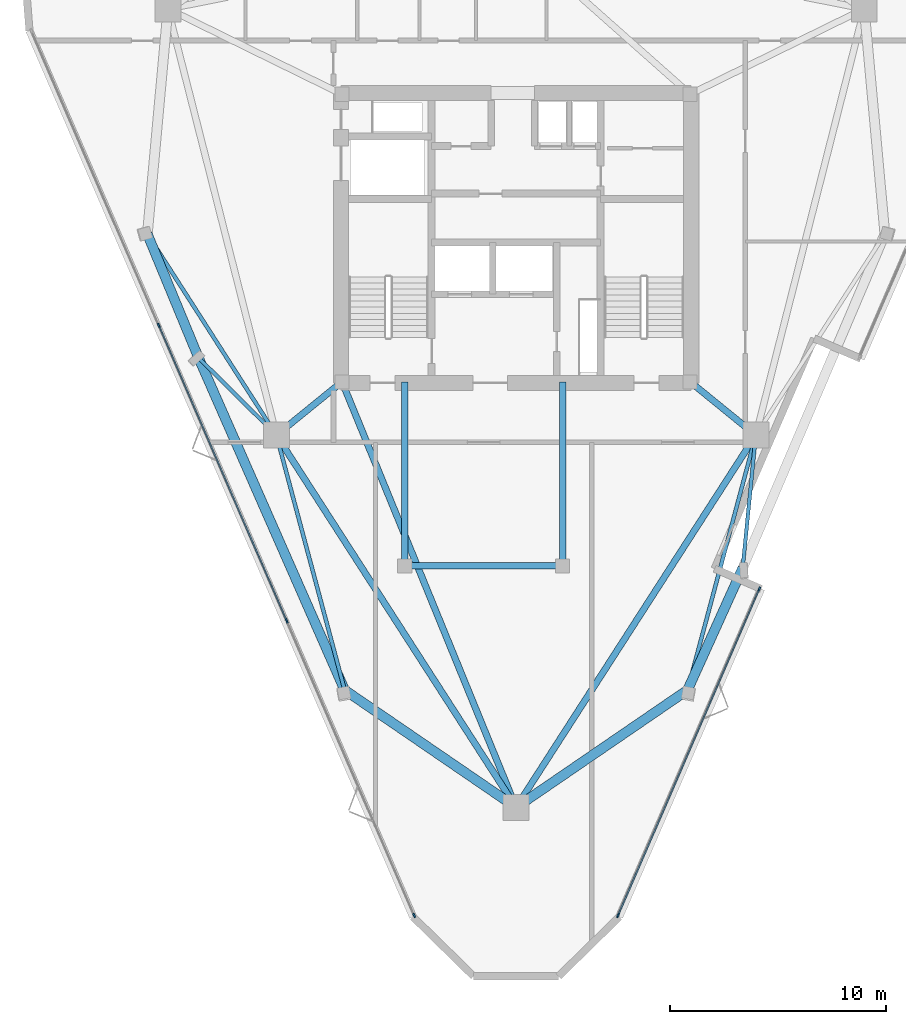
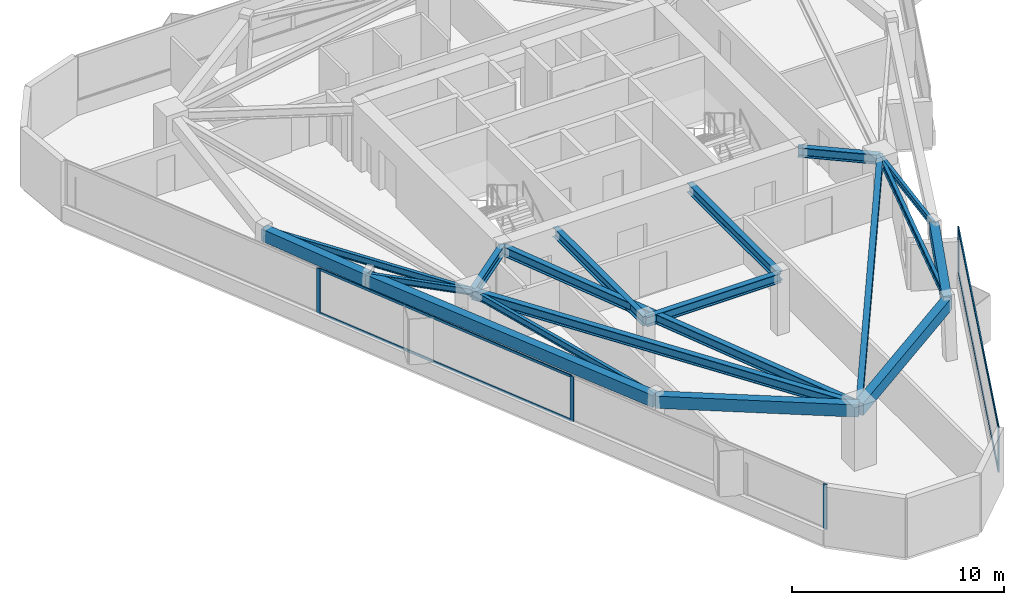
# One storey, part 2 of 10: 18 beams, 9 members, 2 elements without a shape of their own.
"""IFC4 building model written with IfcOpenShell, lengths in metres."""

from ifc_helpers import new_model, si_unit, direction, frame, origin, origin_2d, place, context, subcontext, project, spatial, rectangle, i_section, extrude, material, layer, layer_set, material_profile, profile_set, type_object, element, aggregate, save


model = new_model("IFC4")

# Units and contexts
model_context = context("Model", 3, precision=1e-05, world=origin(), true_north=direction((0.0, 1.0)))
body_context = subcontext(model_context, "Body", "Model", "MODEL_VIEW")
ifc_project = project(units=[si_unit("LENGTHUNIT", "METRE"), si_unit("AREAUNIT", "SQUARE_METRE"), si_unit("VOLUMEUNIT", "CUBIC_METRE"), si_unit("PLANEANGLEUNIT", "RADIAN"), si_unit("MASSUNIT", "GRAM", prefix="KILO")], contexts=[model_context])

# Site, building, storey
site_placement = place(None, origin())
site = spatial("IfcSite", under=ifc_project, at=site_placement, CompositionType="ELEMENT")
building_placement = place(site_placement, origin())
building = spatial("IfcBuilding", under=site, at=building_placement, Name="Talyreon Biosciences Tower", CompositionType="ELEMENT")
storey_placement = place(building_placement, frame((0.0, 0.0, 260.800048828125)))
storey = spatial("IfcBuildingStorey", under=building, at=storey_placement, Name="L69", CompositionType="ELEMENT", Elevation=260.800048828125)

# Curtain wall, members
ifc_material_1 = material(Name="Thermally broken aluminium and low-E glazing", Category="aluminium")
ifc_layer = layer(ifc_material_1, 0.205078125)
ifc_layer_set = layer_set([ifc_layer], Name="Thermally broken aluminium and low-E glazing")
curtain_wall_type = type_object("IfcCurtainWallType", Name="CurtainWall_SkyGardenLoggia", PredefinedType="NOTDEFINED", material=ifc_layer_set)
curtain_wall_1_placement = place(storey_placement, origin())
curtain_wall_1 = element("IfcCurtainWall", 1, at=curtain_wall_1_placement, inside=storey, type_object=curtain_wall_type, Name="L69 Unitised Curtain Wall FCW-L69-11", PredefinedType="NOTDEFINED")
ifc_material_2 = material(Name="Anodised thermally broken aluminium", Category="aluminium")
ifc_material_profile_1 = material_profile(ifc_material_2, rectangle(XDim=0.074951171875, YDim=0.2099609375, at=origin_2d()), Name="ALUM MULLION 75x210")
ifc_profile_set_1 = profile_set([ifc_material_profile_1], Name="Anodised thermally broken aluminium")
member_type_1 = type_object("IfcMemberType", Name="CWMullion_75x210", PredefinedType="MULLION", material=ifc_profile_set_1)
member_1_placement = place(storey_placement, frame((77.249267578125, 51.768798828125, 0.81005859375), z_axis=(0.0, 0.0, 1.0), x_axis=(0.917723005624, -0.397220952302, 0.0)))
member_1 = element("IfcMember", 2, at=member_1_placement, type_object=member_type_1, Name="CW7 mullion 1", PredefinedType="MULLION", context=body_context, shape_type="SweptSolid", body=[
    extrude(rectangle(XDim=0.074951171875, YDim=0.2099609375, at=origin_2d()), origin(), (0.0, 0.0, 1.0), 2.58984375),
])
member_2_placement = place(storey_placement, frame((70.713623046875, 36.66943359375, 0.81005859375), z_axis=(0.0, 0.0, 1.0), x_axis=(0.917723005624, -0.397220952302, 0.0)))
member_2 = element("IfcMember", 3, at=member_2_placement, type_object=member_type_1, Name="CW7 mullion 2", PredefinedType="MULLION", context=body_context, shape_type="SweptSolid", body=[
    extrude(rectangle(XDim=0.074951171875, YDim=0.2099609375, at=origin_2d()), origin(), (0.0, 0.0, 1.0), 2.58984375),
])

curtain_wall_2_placement = place(storey_placement, origin())
curtain_wall_2 = element("IfcCurtainWall", 4, at=curtain_wall_2_placement, inside=storey, type_object=curtain_wall_type, Name="L69 Unitised Curtain Wall FCW-L69-15", PredefinedType="NOTDEFINED")
member_3_placement = place(storey_placement, frame((61.286376953125, 36.66943359375, 0.81005859375), z_axis=(0.0, 0.0, 1.0), x_axis=(-0.917723103703, -0.397220725706, 0.0)))
member_3 = element("IfcMember", 5, at=member_3_placement, type_object=member_type_1, Name="CW7 mullion 1", PredefinedType="MULLION", context=body_context, shape_type="SweptSolid", body=[
    extrude(rectangle(XDim=0.074951171875, YDim=0.2099609375, at=origin_2d()), origin(), (0.0, 0.0, 1.0), 2.58984375),
])
member_4_placement = place(storey_placement, frame((55.388427734375, 50.2958984375, 0.81005859375), z_axis=(0.0, 0.0, 1.0), x_axis=(-0.917723103703, -0.397220725706, 0.0)))
member_4 = element("IfcMember", 6, at=member_4_placement, type_object=member_type_1, Name="CW7 mullion 2", PredefinedType="MULLION", context=body_context, shape_type="SweptSolid", body=[
    extrude(rectangle(XDim=0.074951171875, YDim=0.2099609375, at=origin_2d()), origin(), (0.0, 0.0, 1.0), 2.58984375),
])
member_5_placement = place(storey_placement, frame((49.4755859375, 63.95654296875, 0.81005859375), z_axis=(0.0, 0.0, 1.0), x_axis=(-0.917723103703, -0.397220725706, 0.0)))
member_5 = element("IfcMember", 7, at=member_5_placement, type_object=member_type_1, Name="CW7 mullion 3", PredefinedType="MULLION", context=body_context, shape_type="SweptSolid", body=[
    extrude(rectangle(XDim=0.074951171875, YDim=0.2099609375, at=origin_2d()), origin(), (0.0, 0.0, 1.0), 2.58984375),
])

# Member
ifc_material_profile_2 = material_profile(ifc_material_2, rectangle(XDim=0.06494140625, YDim=0.139892578125, at=origin_2d()), Name="ALUM TRANSOM 65x140")
ifc_profile_set_2 = profile_set([ifc_material_profile_2], Name="Anodised thermally broken aluminium")
member_type_2 = type_object("IfcMemberType", Name="CWTransom_65x140", PredefinedType="USERDEFINED", material=ifc_profile_set_2)
member_6_placement = place(storey_placement, frame((77.234375, 51.734375, 0.842529296875), z_axis=(-0.397228814561, -0.917719602538, 0.0), x_axis=(0.917719602538, -0.397228814561, 0.0)))
member_6 = element("IfcMember", 8, at=member_6_placement, type_object=member_type_2, Name="CW7 transom 1.1", ObjectType="TRANSOM", PredefinedType="USERDEFINED", context=body_context, shape_type="SweptSolid", body=[
    extrude(rectangle(XDim=0.06494140625, YDim=0.139892578125, at=origin_2d()), origin(), (0.0, 0.0, 1.0), 16.378173828125),
])

member_7_placement = place(storey_placement, frame((77.234375, 51.734375, 3.367431640625), z_axis=(-0.397228814561, -0.917719602538, 0.0), x_axis=(0.917719602538, -0.397228814561, 0.0)))
member_7 = element("IfcMember", 9, at=member_7_placement, type_object=member_type_2, Name="CW7 transom 1.2", ObjectType="TRANSOM", PredefinedType="USERDEFINED", context=body_context, shape_type="SweptSolid", body=[
    extrude(rectangle(XDim=0.06494140625, YDim=0.139892578125, at=origin_2d()), origin(), (0.0, 0.0, 1.0), 16.378173828125),
])

aggregate(curtain_wall_1, [member_1, member_2, member_6, member_7])

member_8_placement = place(storey_placement, frame((55.37353515625, 50.330322265625, 0.842529296875), z_axis=(-0.397225285148, 0.917721130213, 0.0), x_axis=(-0.917721130213, -0.397225285148, 0.0)))
member_8 = element("IfcMember", 10, at=member_8_placement, type_object=member_type_2, Name="CW7 transom 2.1", ObjectType="TRANSOM", PredefinedType="USERDEFINED", context=body_context, shape_type="SweptSolid", body=[
    extrude(rectangle(XDim=0.06494140625, YDim=0.139892578125, at=origin_2d()), origin(), (0.0, 0.0, 1.0), 14.810302734375),
])

member_9_placement = place(storey_placement, frame((55.37353515625, 50.330322265625, 3.367431640625), z_axis=(-0.397225285148, 0.917721130213, 0.0), x_axis=(-0.917721130213, -0.397225285148, 0.0)))
member_9 = element("IfcMember", 11, at=member_9_placement, type_object=member_type_2, Name="CW7 transom 2.2", ObjectType="TRANSOM", PredefinedType="USERDEFINED", context=body_context, shape_type="SweptSolid", body=[
    extrude(rectangle(XDim=0.06494140625, YDim=0.139892578125, at=origin_2d()), origin(), (0.0, 0.0, 1.0), 14.810302734375),
])

aggregate(curtain_wall_2, [member_3, member_4, member_5, member_8, member_9])

# Beams
ifc_material_3 = material(Name="Precast concrete C45/55", Category="concrete")
ifc_material_profile_3 = material_profile(ifc_material_3, rectangle(XDim=0.449951171875, YDim=0.699951171875, at=origin_2d()), Name="RCB 450x700")
ifc_profile_set_3 = profile_set([ifc_material_profile_3], Name="Precast concrete C45/55")
beam_type_1 = type_object("IfcBeamType", Name="ExpressedSpandrel_450x700", PredefinedType="SPANDREL", material=ifc_profile_set_3)
beam_1_placement = place(storey_placement, frame((66.0, 41.6669921875, 3.050048828125), z_axis=(0.825178233779, 0.56487244799, 0.0), x_axis=(-0.56487244799, 0.825178233779, 0.0)))
element("IfcBeam", 12, at=beam_1_placement, inside=storey, type_object=beam_type_1, Name="L69 Expressed Horizontal Concrete Spandrel 01", PredefinedType="SPANDREL", context=body_context, shape_type="SweptSolid", body=[
    extrude(rectangle(XDim=0.449951171875, YDim=0.699951171875, at=origin_2d()), origin(), (0.0, 0.0, 1.0), 9.60888671875),
])
for number, where, z_axis, x_axis, name in (
    (13, (73.928955078125, 47.0947265625, 3.050048828125), (0.411899602027, 0.911229234523, 0.0), (-0.911229234523, 0.411899602027, 0.0), "L69 Expressed Horizontal Concrete Spandrel 02"),
    (14, (48.945068359375, 68.18603515625, 3.050048828125), (0.382235629117, -0.924064891571, 0.0), (0.924064891571, 0.382235629117, 0.0), "L69 Expressed Horizontal Concrete Spandrel 10"),
):
    element("IfcBeam", number, at=place(storey_placement, frame(where, z_axis=z_axis, x_axis=x_axis)), inside=storey, type_object=beam_type_1, Name=name, PredefinedType="SPANDREL", context=body_context, shape_type="SweptSolid", body=[
        extrude(rectangle(XDim=0.449951171875, YDim=0.699951171875, at=origin_2d()), origin(), (0.0, 0.0, 1.0), 6.18798828125),
    ])
beam_2_placement = place(storey_placement, frame((51.310302734375, 62.468017578125, 3.050048828125), z_axis=(0.402563712503, -0.915391969255, 0.0), x_axis=(0.915391969255, 0.402563712503, 0.0)))
element("IfcBeam", 15, at=beam_2_placement, inside=storey, type_object=beam_type_1, Name="L69 Expressed Horizontal Concrete Spandrel 11", PredefinedType="SPANDREL", context=body_context, shape_type="SweptSolid", body=[
    extrude(rectangle(XDim=0.449951171875, YDim=0.699951171875, at=origin_2d()), origin(), (0.0, 0.0, 1.0), 16.794189453125),
])
beam_3_placement = place(storey_placement, frame((58.071044921875, 47.0947265625, 3.050048828125), z_axis=(0.825178233779, -0.56487244799, 0.0), x_axis=(0.56487244799, 0.825178233779, 0.0)))
element("IfcBeam", 16, at=beam_3_placement, inside=storey, type_object=beam_type_1, Name="L69 Expressed Horizontal Concrete Spandrel 12", PredefinedType="SPANDREL", context=body_context, shape_type="SweptSolid", body=[
    extrude(rectangle(XDim=0.449951171875, YDim=0.699951171875, at=origin_2d()), origin(), (0.0, 0.0, 1.0), 9.60888671875),
])
ifc_material_4 = material(Name="Steel SM355", Category="steel")
ifc_material_profile_4 = material_profile(ifc_material_4, i_section(OverallWidth=0.300048828125, OverallDepth=0.550048828125, WebThickness=0.014892578125, FlangeThickness=0.029052734375, FilletRadius=0.027099609375, at=origin_2d()), Name="HE550B")
ifc_profile_set_4 = profile_set([ifc_material_profile_4], Name="Steel SM355")
beam_type_2 = type_object("IfcBeamType", Name="SteelBeam_HE550B", PredefinedType="BEAM", material=ifc_profile_set_4)
for number, where, z_axis, x_axis, name in (
    (17, (66.0, 41.6669921875, 3.125), (0.541463723609, 0.840724114092, 0.0), (-0.840724114092, 0.541463723609, 0.0), "L69 Mega-Ring Girder 1"),
    (18, (54.913818359375, 58.88037109375, 3.125), (0.541463723609, -0.840724114092, 0.0), (0.840724114092, 0.541463723609, 0.0), "L69 Mega-Ring Girder 6"),
):
    element("IfcBeam", number, at=place(storey_placement, frame(where, z_axis=z_axis, x_axis=x_axis)), inside=storey, type_object=beam_type_2, Name=name, PredefinedType="BEAM", context=body_context, shape_type="SweptSolid", body=[
        extrude(i_section(OverallWidth=0.300048828125, OverallDepth=0.550048828125, WebThickness=0.014892578125, FlangeThickness=0.029052734375, FilletRadius=0.027099609375, at=origin_2d()), origin(), (0.0, 0.0, 1.0), 20.474365234375),
    ])
beam_4_placement = place(storey_placement, frame((57.949951171875, 61.35009765625, 3.125), z_axis=(0.378547014545, -0.925582064314, 0.0), x_axis=(0.925582064314, 0.378547014545, 0.0)))
element("IfcBeam", 19, at=beam_4_placement, inside=storey, type_object=beam_type_2, Name="L69 Radial Primary Girder 1", PredefinedType="BEAM", context=body_context, shape_type="SweptSolid", body=[
    extrude(i_section(OverallWidth=0.300048828125, OverallDepth=0.550048828125, WebThickness=0.014892578125, FlangeThickness=0.029052734375, FilletRadius=0.027099609375, at=origin_2d()), origin(), (0.0, 0.0, 1.0), 21.265625),
])
for number, where, z_axis, x_axis, name in (
    (20, (74.050048828125, 61.35009765625, 3.125), (0.775755154013, -0.631034025249, 0.0), (0.631034025249, 0.775755154013, 0.0), "L69 Radial Primary Girder 2"),
    (21, (57.949951171875, 61.35009765625, 3.125), (-0.775755154013, -0.631034025249, 0.0), (0.631034025249, -0.775755154013, 0.0), "L69 Radial Primary Girder 6"),
):
    element("IfcBeam", number, at=place(storey_placement, frame(where, z_axis=z_axis, x_axis=x_axis)), inside=storey, type_object=beam_type_2, Name=name, PredefinedType="BEAM", context=body_context, shape_type="SweptSolid", body=[
        extrude(i_section(OverallWidth=0.300048828125, OverallDepth=0.550048828125, WebThickness=0.014892578125, FlangeThickness=0.029052734375, FilletRadius=0.027099609375, at=origin_2d()), origin(), (0.0, 0.0, 1.0), 3.913818359375),
    ])
beam_5_placement = place(storey_placement, frame((60.85009765625, 52.840087890625, 3.125), z_axis=(1.0, 0.0, 0.0), x_axis=(0.0, 1.0, 0.0)))
element("IfcBeam", 22, at=beam_5_placement, inside=storey, type_object=beam_type_2, Name="L69 Crown Shaft Spine Girder S", PredefinedType="BEAM", context=body_context, shape_type="SweptSolid", body=[
    extrude(i_section(OverallWidth=0.300048828125, OverallDepth=0.550048828125, WebThickness=0.014892578125, FlangeThickness=0.029052734375, FilletRadius=0.027099609375, at=origin_2d()), origin(), (0.0, 0.0, 1.0), 7.2998046875),
])
for number, where, z_axis, x_axis, name in (
    (23, (60.85009765625, 52.840087890625, 3.125), (0.0, 1.0, 0.0), (-1.0, 0.0, 0.0), "L69 Crown Shaft Tie Girder W"),
    (24, (68.14990234375, 52.840087890625, 3.125), (0.0, 1.0, 0.0), (-1.0, 0.0, 0.0), "L69 Crown Shaft Tie Girder E"),
):
    element("IfcBeam", number, at=place(storey_placement, frame(where, z_axis=z_axis, x_axis=x_axis)), inside=storey, type_object=beam_type_2, Name=name, PredefinedType="BEAM", context=body_context, shape_type="SweptSolid", body=[
        extrude(i_section(OverallWidth=0.300048828125, OverallDepth=0.550048828125, WebThickness=0.014892578125, FlangeThickness=0.029052734375, FilletRadius=0.027099609375, at=origin_2d()), origin(), (0.0, 0.0, 1.0), 8.510009765625),
    ])
ifc_material_profile_5 = material_profile(ifc_material_4, i_section(OverallWidth=0.169921875, OverallDepth=0.360107421875, WebThickness=0.008056640625, FlangeThickness=0.0126953125, FilletRadius=0.01806640625, at=origin_2d()), Name="IPE360")
ifc_profile_set_5 = profile_set([ifc_material_profile_5], Name="Steel SM355")
beam_type_3 = type_object("IfcBeamType", Name="SteelJoist_IPE360", PredefinedType="JOIST", material=ifc_profile_set_5)
beam_6_placement = place(storey_placement, frame((77.086181640625, 58.88037109375, 3.219970703125), z_axis=(-0.098494042426, -0.995137640533, 0.0), x_axis=(0.995137640533, -0.098494042426, 0.0)))
element("IfcBeam", 25, at=beam_6_placement, inside=storey, type_object=beam_type_3, Name="L69 Radial Composite Floor Joist PL-SE", PredefinedType="JOIST", context=body_context, shape_type="SweptSolid", body=[
    extrude(i_section(OverallWidth=0.169921875, OverallDepth=0.360107421875, WebThickness=0.008056640625, FlangeThickness=0.0126953125, FilletRadius=0.01806640625, at=origin_2d()), origin(), (0.0, 0.0, 1.0), 6.177001953125),
])
beam_7_placement = place(storey_placement, frame((54.913818359375, 58.88037109375, 3.219970703125), z_axis=(-0.708665467849, 0.705544651087, 0.0), x_axis=(-0.705544651087, -0.708665467849, 0.0)))
element("IfcBeam", 26, at=beam_7_placement, inside=storey, type_object=beam_type_3, Name="L69 Radial Composite Floor Joist PL-SW", PredefinedType="JOIST", context=body_context, shape_type="SweptSolid", body=[
    extrude(i_section(OverallWidth=0.169921875, OverallDepth=0.360107421875, WebThickness=0.008056640625, FlangeThickness=0.0126953125, FilletRadius=0.01806640625, at=origin_2d()), origin(), (0.0, 0.0, 1.0), 5.0849609375),
])
ifc_material_profile_6 = material_profile(ifc_material_4, i_section(OverallWidth=0.179931640625, OverallDepth=0.39990234375, WebThickness=0.008544921875, FlangeThickness=0.013427734375, FilletRadius=0.02099609375, at=origin_2d()), Name="IPE400")
ifc_profile_set_6 = profile_set([ifc_material_profile_6], Name="Steel SM355")
beam_type_4 = type_object("IfcBeamType", Name="SteelJoist_IPE400", PredefinedType="JOIST", material=ifc_profile_set_6)
beam_8_placement = place(storey_placement, frame((77.086181640625, 58.88037109375, 3.199951171875), z_axis=(-0.258763423361, -0.965940728373, 0.0), x_axis=(0.965940728373, -0.258763423361, 0.0)))
element("IfcBeam", 27, at=beam_8_placement, inside=storey, type_object=beam_type_4, Name="L69 Radial Composite Floor Joist PC-SE1", PredefinedType="JOIST", context=body_context, shape_type="SweptSolid", body=[
    extrude(i_section(OverallWidth=0.179931640625, OverallDepth=0.39990234375, WebThickness=0.008544921875, FlangeThickness=0.013427734375, FilletRadius=0.02099609375, at=origin_2d()), origin(), (0.0, 0.0, 1.0), 12.201171875),
])
beam_9_placement = place(storey_placement, frame((54.913818359375, 58.88037109375, 3.199951171875), z_axis=(-0.539895655291, 0.841731953414, 0.0), x_axis=(-0.841731953414, -0.539895655291, 0.0)))
element("IfcBeam", 28, at=beam_9_placement, inside=storey, type_object=beam_type_4, Name="L69 Radial Composite Floor Joist PC-SW1", PredefinedType="JOIST", context=body_context, shape_type="SweptSolid", body=[
    extrude(i_section(OverallWidth=0.179931640625, OverallDepth=0.39990234375, WebThickness=0.008544921875, FlangeThickness=0.013427734375, FilletRadius=0.02099609375, at=origin_2d()), origin(), (0.0, 0.0, 1.0), 11.055419921875),
])
beam_10_placement = place(storey_placement, frame((54.913818359375, 58.88037109375, 3.199951171875), z_axis=(0.258763423361, -0.965940728373, 0.0), x_axis=(0.965940728373, 0.258763423361, 0.0)))
element("IfcBeam", 29, at=beam_10_placement, inside=storey, type_object=beam_type_4, Name="L69 Radial Composite Floor Joist PC-SW2", PredefinedType="JOIST", context=body_context, shape_type="SweptSolid", body=[
    extrude(i_section(OverallWidth=0.179931640625, OverallDepth=0.39990234375, WebThickness=0.008544921875, FlangeThickness=0.013427734375, FilletRadius=0.02099609375, at=origin_2d()), origin(), (0.0, 0.0, 1.0), 12.201171875),
])

save(model, "model.ifc")
